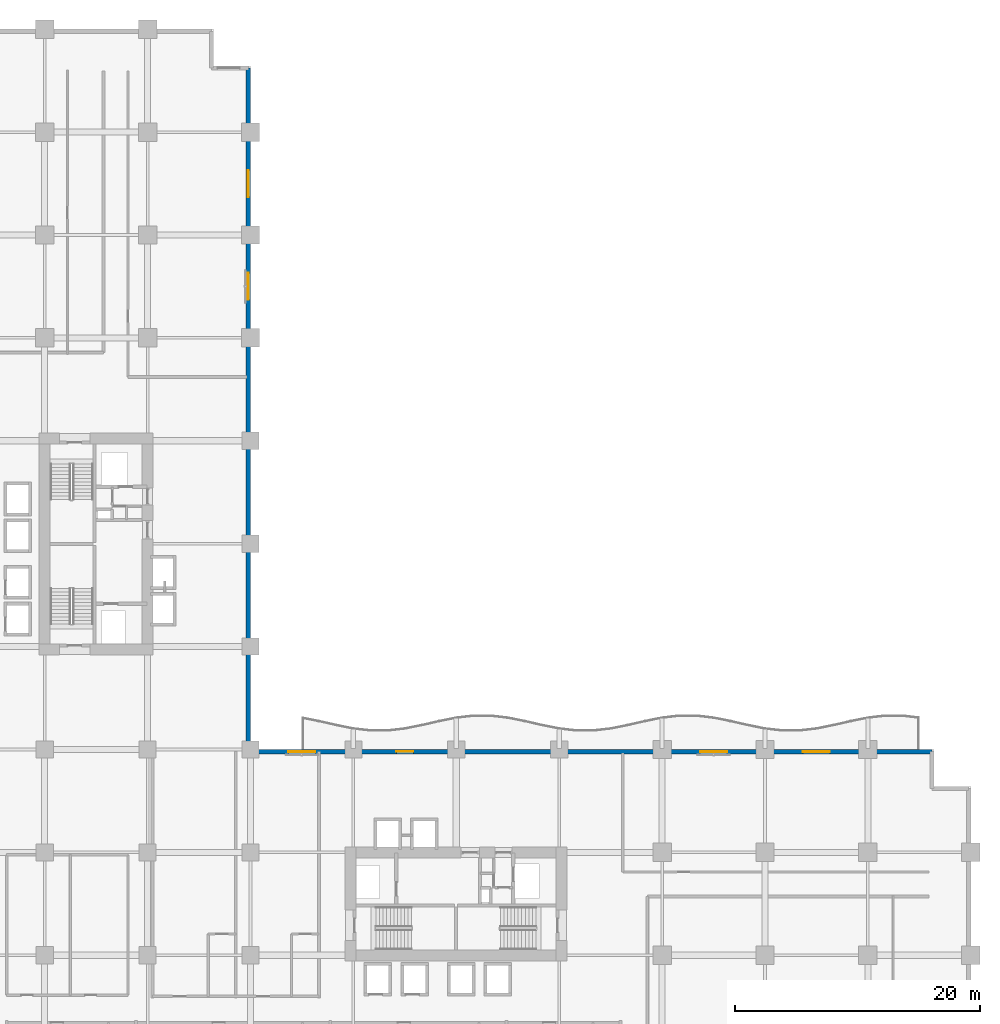
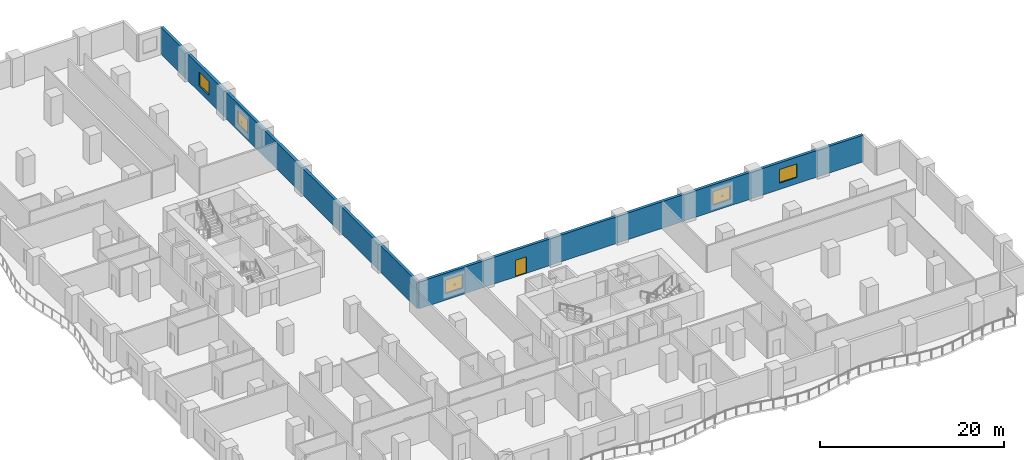
# One storey, part 11 of 20: 5 windows, 2 walls, 1 door, 6 openings.
"""IFC4 building model written with IfcOpenShell, lengths in metres."""

from ifc_helpers import new_model, si_unit, direction, frame, frame_2d, origin, place, context, subcontext, project, spatial, rectangle, extrude, material, layer, layer_set, type_object, element, fill, save


model = new_model("IFC4")

# Units and contexts
model_context = context("Model", 3, precision=1e-05, world=origin(), true_north=direction((0.0, 1.0)))
body_context = subcontext(model_context, "Body", "Model", "MODEL_VIEW")
ifc_project = project(units=[si_unit("LENGTHUNIT", "METRE"), si_unit("AREAUNIT", "SQUARE_METRE"), si_unit("VOLUMEUNIT", "CUBIC_METRE"), si_unit("PLANEANGLEUNIT", "RADIAN"), si_unit("MASSUNIT", "GRAM", prefix="KILO")], contexts=[model_context])

# Site, building, storey
site_placement = place(None, origin())
site = spatial("IfcSite", under=ifc_project, at=site_placement, CompositionType="ELEMENT")
building_placement = place(site_placement, origin())
building = spatial("IfcBuilding", under=site, at=building_placement, Name="Koriwani Terraces Tower", CompositionType="ELEMENT")
storey_placement = place(building_placement, frame((0.0, 0.0, 73.800048828125)))
storey = spatial("IfcBuildingStorey", under=building, at=storey_placement, Name="L17", CompositionType="ELEMENT", Elevation=73.800048828125)

# Wall, openings, windows
ifc_material_1 = material(Name="Concrete C50/60", Category="concrete")
ifc_layer = layer(ifc_material_1, 0.35009765625, Name="Concrete C50/60")
ifc_layer_set = layer_set([ifc_layer], Name="Concrete C50/60")
wall_type = type_object("IfcWallType", Name="WALL_EXT_BRUTALIST_350", PredefinedType="STANDARD", material=ifc_layer_set)
wall_1_placement = place(storey_placement, frame((33.425048828125, 89.22509765625, 0.0), z_axis=(0.0, 0.0, 1.0), x_axis=(0.0, -1.0, 0.0)))
wall_1 = element("IfcWall", 1, at=wall_1_placement, inside=storey, type_object=wall_type, Name="L17 Fair-Faced Brutalist Exterior Wall (NW_IN)", PredefinedType="STANDARD", context=body_context, shape_type="SweptSolid", body=[
    extrude(rectangle(XDim=55.800048828125, YDim=0.35009765625, at=frame_2d((27.89990234375, 0.0))), origin(), (0.0, 0.0, 1.0), 3.550048828125),
])
opening_1_placement = place(wall_1_placement, frame((16.72509765625, 0.0, 0.85009765625)))
opening_1 = element("IfcOpeningElement", 2, at=opening_1_placement, cuts=wall_1, Name="Opening W-01", PredefinedType="OPENING", context=body_context, shape_type="SweptSolid", body=[
    extrude(rectangle(XDim=2.199951171875, YDim=1.800048828125, at=frame_2d((1.10009765625, 0.89990234375))), frame((0.0, 0.18505859375, 0.0), z_axis=(0.0, -1.0, 0.0), x_axis=(1.0, 0.0, 0.0)), (0.0, 0.0, 1.0), 0.3701171875),
])
opening_2_placement = place(wall_1_placement, frame((8.324951171875, 0.0, 0.85009765625)))
opening_2 = element("IfcOpeningElement", 3, at=opening_2_placement, cuts=wall_1, Name="Opening W-01", PredefinedType="OPENING", context=body_context, shape_type="SweptSolid", body=[
    extrude(rectangle(XDim=2.199951171875, YDim=1.800048828125, at=frame_2d((1.10009765625, 0.89990234375))), frame((0.0, 0.18505859375, 0.0), z_axis=(0.0, -1.0, 0.0), x_axis=(1.0, 0.0, 0.0)), (0.0, 0.0, 1.0), 0.3701171875),
])
ifc_material_2 = material(Name="Tempered Laminated Low-E Glass", Category="glass")
window_type = type_object("IfcWindowType", Name="WIN_HOTEL_STD_2200X1800", PartitioningType="DOUBLE_PANEL_VERTICAL", PredefinedType="WINDOW", material=ifc_material_2)
window_1_placement = place(opening_1_placement, origin())
window_1 = element("IfcWindow", 4, at=window_1_placement, inside=storey, type_object=window_type, Name="L17 Exterior Window (NW_IN-14)", OverallHeight=1.800048828125, OverallWidth=2.199951171875, PartitioningType="SINGLE_PANEL", PredefinedType="WINDOW", context=body_context, shape_type="SweptSolid", body=[
    extrude(rectangle(XDim=2.199951171875, YDim=1.800048828125, at=frame_2d((1.10009765625, 0.89990234375))), frame((0.0, 0.030029296875, 0.0), z_axis=(0.0, -1.0, 0.0), x_axis=(1.0, 0.0, 0.0)), (0.0, 0.0, 1.0), 0.06005859375),
])
fill(opening_1, window_1)
window_2_placement = place(opening_2_placement, origin())
window_2 = element("IfcWindow", 5, at=window_2_placement, inside=storey, type_object=window_type, Name="L17 Exterior Window (NW_IN-17)", OverallHeight=1.800048828125, OverallWidth=2.199951171875, PartitioningType="SINGLE_PANEL", PredefinedType="WINDOW", context=body_context, shape_type="SweptSolid", body=[
    extrude(rectangle(XDim=2.199951171875, YDim=1.800048828125, at=frame_2d((1.10009765625, 0.89990234375))), frame((0.0, 0.030029296875, 0.0), z_axis=(0.0, -1.0, 0.0), x_axis=(1.0, 0.0, 0.0)), (0.0, 0.0, 1.0), 0.06005859375),
])
fill(opening_2, window_2)

# Wall, openings, door, windows
wall_2_placement = place(storey_placement, frame((33.425048828125, 33.425048828125, 0.0), z_axis=(0.0, 0.0, 1.0), x_axis=(1.0, 0.0, 0.0)))
wall_2 = element("IfcWall", 6, at=wall_2_placement, inside=storey, type_object=wall_type, Name="L17 Fair-Faced Brutalist Exterior Wall (NE)", PredefinedType="STANDARD", context=body_context, shape_type="SweptSolid", body=[
    extrude(rectangle(XDim=55.800048828125, YDim=0.35009765625, at=frame_2d((27.89990234375, 0.0))), origin(), (0.0, 0.0, 1.0), 3.550048828125),
])
opening_3_placement = place(wall_2_placement, frame((12.074951171875, 0.0, 0.0)))
opening_3 = element("IfcOpeningElement", 7, at=opening_3_placement, cuts=wall_2, Name="Opening D-09", PredefinedType="OPENING", context=body_context, shape_type="SweptSolid", body=[
    extrude(rectangle(XDim=1.39990234375, YDim=2.199951171875, at=frame_2d((0.699951171875, 1.10009765625))), frame((0.0, 0.18505859375, 0.0), z_axis=(0.0, -1.0, 0.0), x_axis=(1.0, 0.0, 0.0)), (0.0, 0.0, 1.0), 0.3701171875),
])
opening_4_placement = place(wall_2_placement, frame((3.27490234375, 0.0, 0.85009765625)))
opening_4 = element("IfcOpeningElement", 8, at=opening_4_placement, cuts=wall_2, Name="Opening W-01", PredefinedType="OPENING", context=body_context, shape_type="SweptSolid", body=[
    extrude(rectangle(XDim=2.199951171875, YDim=1.800048828125, at=frame_2d((1.10009765625, 0.89990234375))), frame((0.0, 0.18505859375, 0.0), z_axis=(0.0, -1.0, 0.0), x_axis=(1.0, 0.0, 0.0)), (0.0, 0.0, 1.0), 0.3701171875),
])
opening_5_placement = place(wall_2_placement, frame((36.875, 0.0, 0.85009765625)))
opening_5 = element("IfcOpeningElement", 9, at=opening_5_placement, cuts=wall_2, Name="Opening W-01", PredefinedType="OPENING", context=body_context, shape_type="SweptSolid", body=[
    extrude(rectangle(XDim=2.199951171875, YDim=1.800048828125, at=frame_2d((1.10009765625, 0.89990234375))), frame((0.0, 0.18505859375, 0.0), z_axis=(0.0, -1.0, 0.0), x_axis=(1.0, 0.0, 0.0)), (0.0, 0.0, 1.0), 0.3701171875),
])
opening_6_placement = place(wall_2_placement, frame((45.27490234375, 0.0, 0.85009765625)))
opening_6 = element("IfcOpeningElement", 10, at=opening_6_placement, cuts=wall_2, Name="Opening W-01", PredefinedType="OPENING", context=body_context, shape_type="SweptSolid", body=[
    extrude(rectangle(XDim=2.199951171875, YDim=1.800048828125, at=frame_2d((1.10009765625, 0.89990234375))), frame((0.0, 0.18505859375, 0.0), z_axis=(0.0, -1.0, 0.0), x_axis=(1.0, 0.0, 0.0)), (0.0, 0.0, 1.0), 0.3701171875),
])
ifc_material_3 = material(Name="Anodised Bronze Aluminium", Category="aluminium")
door_type = type_object("IfcDoorType", Name="DOOR_BALCONY_GLAZED_1400X2200", OperationType="NOTDEFINED", PredefinedType="DOOR", material=ifc_material_3)
door_placement = place(opening_3_placement, origin())
door = element("IfcDoor", 11, at=door_placement, inside=storey, type_object=door_type, Name="L17 Inner Court Balcony Glazed Door", OperationType="SINGLE_SWING_LEFT", OverallHeight=2.199951171875, OverallWidth=1.39990234375, PredefinedType="DOOR", context=body_context, shape_type="SweptSolid", body=[
    extrude(rectangle(XDim=1.39990234375, YDim=2.199951171875, at=frame_2d((0.699951171875, 1.10009765625))), frame((0.0, 0.02490234375, 0.0), z_axis=(0.0, -1.0, 0.0), x_axis=(1.0, 0.0, 0.0)), (0.0, 0.0, 1.0), 0.050048828125),
])
fill(opening_3, door)
window_3_placement = place(opening_4_placement, origin())
window_3 = element("IfcWindow", 12, at=window_3_placement, inside=storey, type_object=window_type, Name="L17 Exterior Window (NE-2)", OverallHeight=1.800048828125, OverallWidth=2.199951171875, PartitioningType="SINGLE_PANEL", PredefinedType="WINDOW", context=body_context, shape_type="SweptSolid", body=[
    extrude(rectangle(XDim=2.199951171875, YDim=1.800048828125, at=frame_2d((1.10009765625, 0.89990234375))), frame((0.0, 0.030029296875, 0.0), z_axis=(0.0, -1.0, 0.0), x_axis=(1.0, 0.0, 0.0)), (0.0, 0.0, 1.0), 0.06005859375),
])
fill(opening_4, window_3)
window_4_placement = place(opening_5_placement, origin())
window_4 = element("IfcWindow", 13, at=window_4_placement, inside=storey, type_object=window_type, Name="L17 Exterior Window (NE-14)", OverallHeight=1.800048828125, OverallWidth=2.199951171875, PartitioningType="SINGLE_PANEL", PredefinedType="WINDOW", context=body_context, shape_type="SweptSolid", body=[
    extrude(rectangle(XDim=2.199951171875, YDim=1.800048828125, at=frame_2d((1.10009765625, 0.89990234375))), frame((0.0, 0.030029296875, 0.0), z_axis=(0.0, -1.0, 0.0), x_axis=(1.0, 0.0, 0.0)), (0.0, 0.0, 1.0), 0.06005859375),
])
fill(opening_5, window_4)
window_5_placement = place(opening_6_placement, origin())
window_5 = element("IfcWindow", 14, at=window_5_placement, inside=storey, type_object=window_type, Name="L17 Exterior Window (NE-17)", OverallHeight=1.800048828125, OverallWidth=2.199951171875, PartitioningType="SINGLE_PANEL", PredefinedType="WINDOW", context=body_context, shape_type="SweptSolid", body=[
    extrude(rectangle(XDim=2.199951171875, YDim=1.800048828125, at=frame_2d((1.10009765625, 0.89990234375))), frame((0.0, 0.030029296875, 0.0), z_axis=(0.0, -1.0, 0.0), x_axis=(1.0, 0.0, 0.0)), (0.0, 0.0, 1.0), 0.06005859375),
])
fill(opening_6, window_5)

save(model, "model.ifc")
